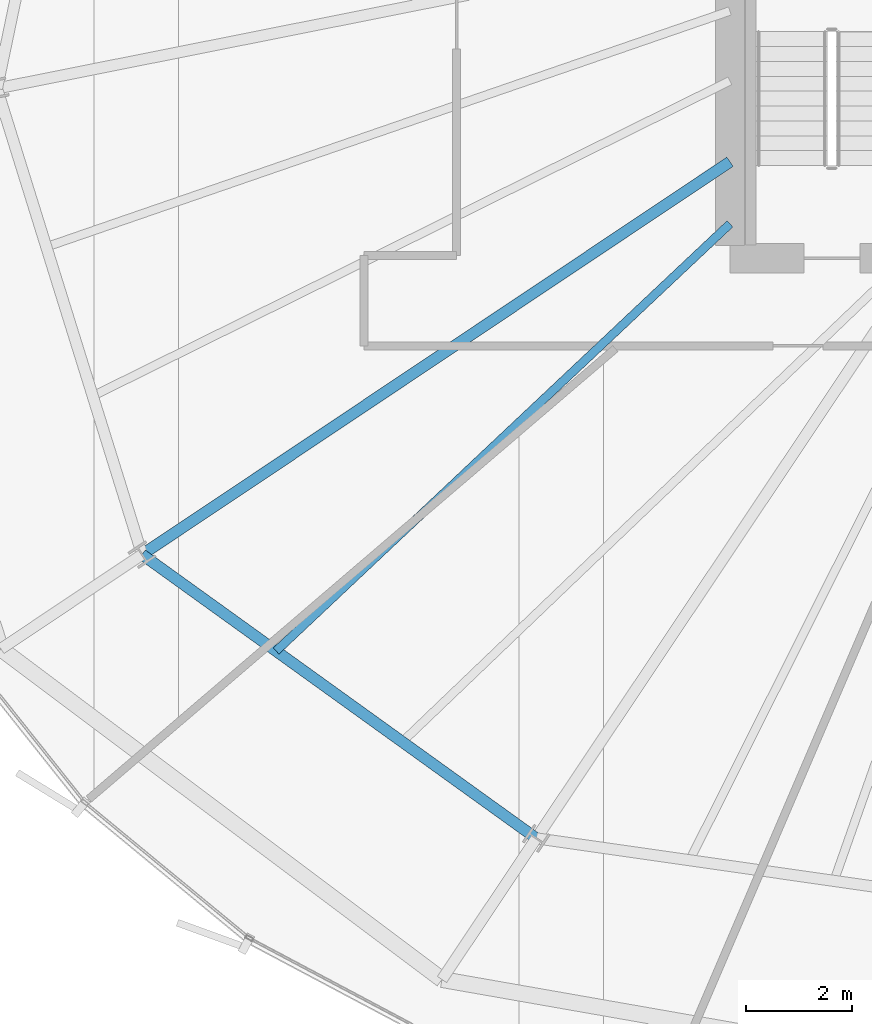
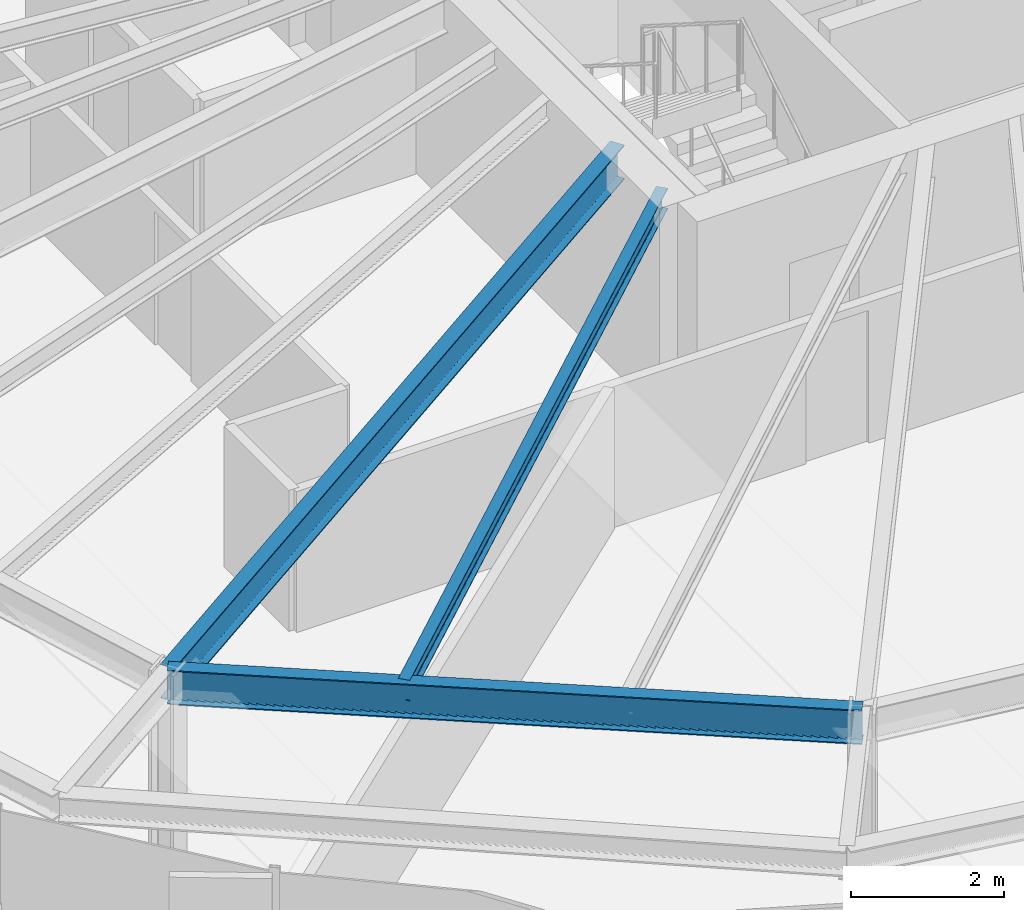
# One storey, part 5 of 36: 3 beams.
"""IFC4 building model written with IfcOpenShell, lengths in metres."""

import ifcopenshell
import ifcopenshell.guid

model = None  # the IFC model being written
_history = None  # IfcOwnerHistory: only IFC2X3 demands one
_inside = {}  # id of a spatial element -> (the spatial element, [elements in it])
_under = {}  # id of a project, library or spatial element -> (it, [spatial elements below it])
_declared = {}  # id of a project -> (the project, [libraries it declares])
_typed = {}  # id of a type object -> (the type object, [elements of that type])
_made_of = {}  # id of a material, layer set ... -> (it, [elements and type objects made of it])


def new_model(schema):
    """Start an empty IFC model of exactly this schema.

    Asked for "IFC4X3", IfcOpenShell would pick the latest addendum, in which some entities
    have other attributes; the version numbers below select the first issue.
    IFC2X3 requires an IfcOwnerHistory on every rooted entity: one is made here for all.
    """
    global model, _history
    if schema == "IFC4X3":
        model = ifcopenshell.file(schema_version=(4, 3, 0, 0))
    else:
        model = ifcopenshell.file(schema=schema)
    _inside.clear()
    _under.clear()
    _declared.clear()
    _typed.clear()
    _made_of.clear()
    _history = None
    if model.schema == "IFC2X3":
        org = make("IfcOrganization", Name="unknown")
        user = make(
            "IfcPersonAndOrganization",
            ThePerson=make("IfcPerson", FamilyName="unknown"),
            TheOrganization=org,
        )
        app = make(
            "IfcApplication",
            ApplicationDeveloper=org,
            Version="unknown",
            ApplicationFullName="unknown",
            ApplicationIdentifier="unknown",
        )
        _history = make(
            "IfcOwnerHistory",
            OwningUser=user,
            OwningApplication=app,
            ChangeAction="ADDED",
            CreationDate=0,
        )
    return model


def make(cls, **values):
    """One entity of the class cls with the attributes given. An attribute that is None is left unset."""
    return model.create_entity(
        cls, **{name: value for name, value in values.items() if value is not None}
    )


def rooted(cls, **values):
    """An entity with a GlobalId (a new one), such as an element, a storey or a relation."""
    return make(cls, GlobalId=ifcopenshell.guid.new(), OwnerHistory=_history, **values)


def si_unit(unit_type, name, prefix=None):
    """IfcSIUnit, for example si_unit("LENGTHUNIT", "METRE", prefix="MILLI")."""
    return make("IfcSIUnit", UnitType=unit_type, Prefix=prefix, Name=name)


def assignment(units):
    """IfcUnitAssignment: the units of a project."""
    return None if units is None else make("IfcUnitAssignment", Units=units)


def point(xyz):
    """IfcCartesianPoint."""
    return None if xyz is None else make("IfcCartesianPoint", Coordinates=xyz)


def direction(xyz):
    """IfcDirection."""
    return None if xyz is None else make("IfcDirection", DirectionRatios=xyz)


def frame(location, z_axis=None, x_axis=None):
    """IfcAxis2Placement3D, a coordinate frame: its origin and axes. An axis left out is left unset."""
    return make(
        "IfcAxis2Placement3D",
        Location=point(location),
        Axis=direction(z_axis),
        RefDirection=direction(x_axis),
    )


def frame_2d(location, x_axis=None):
    """IfcAxis2Placement2D, a coordinate frame in the plane: its origin and x axis."""
    return make(
        "IfcAxis2Placement2D", Location=point(location), RefDirection=direction(x_axis)
    )


def origin():
    """The frame at (0, 0, 0) with its axes left unset."""
    return frame((0.0, 0.0, 0.0))


def origin_2d():
    """The frame at (0, 0) in the plane with its x axis left unset."""
    return frame_2d((0.0, 0.0))


def place(relative_to, where):
    """IfcLocalPlacement: puts the frame where relative to a parent placement (None: the world)."""
    return make(
        "IfcLocalPlacement", PlacementRelTo=relative_to, RelativePlacement=where
    )


def context(
    kind, dimensions, precision=None, world=None, true_north=None, identifier=None
):
    """IfcGeometricRepresentationContext, for example the 3D "Model" context."""
    return make(
        "IfcGeometricRepresentationContext",
        ContextIdentifier=identifier,
        ContextType=kind,
        CoordinateSpaceDimension=dimensions,
        Precision=precision,
        WorldCoordinateSystem=world,
        TrueNorth=true_north,
    )


def subcontext(parent, identifier, kind, view, scale=None):
    """IfcGeometricRepresentationSubContext, for example "Body" below "Model"."""
    return make(
        "IfcGeometricRepresentationSubContext",
        ContextIdentifier=identifier,
        ContextType=kind,
        ParentContext=parent,
        TargetScale=scale,
        TargetView=view,
    )


def project(units=None, contexts=None):
    """IfcProject with its units and contexts."""
    return rooted(
        "IfcProject",
        Name="project",
        RepresentationContexts=contexts,
        UnitsInContext=assignment(units),
    )


def spatial(cls, under=None, at=None, **own):
    """A site, building, storey or space (cls), placed at a placement, below another one or the project."""
    s = rooted(cls, ObjectPlacement=at, **own)
    if under is not None:
        _under.setdefault(under.id(), (under, []))[1].append(s)
    return s


def profile(cls, at=None, kind="AREA", **sizes):
    """A parametric profile (cls). Its sizes go by their IFC names, for example OverallWidth=200.0."""
    return make(cls, ProfileType=kind, Position=at, **sizes)


def i_section(**sizes):
    """IfcIShapeProfileDef."""
    return profile("IfcIShapeProfileDef", **sizes)


def extrude(swept, where, along, depth):
    """IfcExtrudedAreaSolid: the profile swept, set in the frame where, extruded along a direction by depth."""
    return make(
        "IfcExtrudedAreaSolid",
        SweptArea=swept,
        Position=where,
        ExtrudedDirection=direction(along),
        Depth=depth,
    )


def shape(context_of_items, identifier, shape_type, items):
    """IfcShapeRepresentation: the items that make up one representation, for example the "Body"."""
    return make(
        "IfcShapeRepresentation",
        ContextOfItems=context_of_items,
        RepresentationIdentifier=identifier,
        RepresentationType=shape_type,
        Items=items,
    )


def source(mapping_origin, context_of_items, identifier, shape_type, items):
    """IfcRepresentationMap: a shape defined once, which mapped items show again and again."""
    return make(
        "IfcRepresentationMap",
        MappingOrigin=mapping_origin,
        MappedRepresentation=shape(context_of_items, identifier, shape_type, items),
    )


def transform(
    local_origin,
    x_axis=None,
    y_axis=None,
    z_axis=None,
    scale=None,
    scale2=None,
    scale3=None,
    uniform=True,
):
    """IfcCartesianTransformationOperator3D, or its non-uniform kind. x_axis, y_axis, z_axis: its Axis1, 2, 3."""
    if uniform:
        return make(
            "IfcCartesianTransformationOperator3D",
            Axis1=direction(x_axis),
            Axis2=direction(y_axis),
            LocalOrigin=point(local_origin),
            Scale=scale,
            Axis3=direction(z_axis),
        )
    return make(
        "IfcCartesianTransformationOperator3DnonUniform",
        Axis1=direction(x_axis),
        Axis2=direction(y_axis),
        LocalOrigin=point(local_origin),
        Scale=scale,
        Axis3=direction(z_axis),
        Scale2=scale2,
        Scale3=scale3,
    )


def mapped(mapping_source, mapping_target):
    """IfcMappedItem: shows the shape of a source again, moved by a transform."""
    return make(
        "IfcMappedItem", MappingSource=mapping_source, MappingTarget=mapping_target
    )


def material(Name=None, Category=None):
    """IfcMaterial."""
    return make("IfcMaterial", Name=Name, Category=Category)


def material_profile(
    of_material, cross_section, Name=None, Category=None, Priority=None
):
    """IfcMaterialProfile: a cross section and its material."""
    return make(
        "IfcMaterialProfile",
        Name=Name,
        Material=of_material,
        Profile=cross_section,
        Priority=Priority,
        Category=Category,
    )


def profile_set(profiles, Name=None, composite=None):
    """IfcMaterialProfileSet."""
    return make(
        "IfcMaterialProfileSet",
        Name=Name,
        MaterialProfiles=profiles,
        CompositeProfile=composite,
    )


def made_of(thing, what):
    """Note that an element or type object is made of a material, layer set ...; save() writes the relation."""
    if what is not None:
        _made_of.setdefault(what.id(), (what, []))[1].append(thing)
    return thing


def type_object(cls, material=None, **own):
    """A type object (cls), such as IfcWallType, which elements share."""
    return made_of(rooted(cls, **own), material)


def element(
    cls,
    number,
    at=None,
    inside=None,
    cuts=None,
    type_object=None,
    material=None,
    context=None,
    identifier="Body",
    shape_type=None,
    held_by="IfcProductDefinitionShape",
    body=None,
    shapes=None,
    **own,
):
    """One element of the class cls, such as IfcWall. Its Tag is "e" and its number.

    at: its placement. inside: the storey or other place that contains it. cuts: it is an
    opening in that element (IfcRelVoidsElement). A single representation is given by context,
    identifier, shape_type and body (its items); several are given by shapes. held_by: the class
    of the entity that holds the representations. save() writes the other relations.
    """
    e = rooted(cls, Tag="e%d" % number, ObjectPlacement=at, **own)
    if body is not None:
        shapes = [shape(context, identifier, shape_type, body)]
    if shapes is not None:
        e.Representation = make(held_by, Representations=shapes)
    if inside is not None:
        _inside.setdefault(inside.id(), (inside, []))[1].append(e)
    if cuts is not None:
        rooted(
            "IfcRelVoidsElement", RelatingBuildingElement=cuts, RelatedOpeningElement=e
        )
    if type_object is not None:
        _typed.setdefault(type_object.id(), (type_object, []))[1].append(e)
    return made_of(e, material)


def aggregate(whole, parts):
    """IfcRelAggregates: a whole, such as a stair, and the parts it consists of."""
    return rooted("IfcRelAggregates", RelatingObject=whole, RelatedObjects=parts)


def save(model, path):
    """Write the relations noted so far, then the file.

    IfcRelAggregates (storeys below a building ...), IfcRelContainedInSpatialStructure (elements
    in a storey), IfcRelDefinesByType, IfcRelAssociatesMaterial and IfcRelDeclares: one each for
    every whole, place, type object, material and project.
    """
    for whole, parts in _under.values():
        aggregate(whole, parts)
    for where, things in _inside.values():
        rooted(
            "IfcRelContainedInSpatialStructure",
            RelatedElements=things,
            RelatingStructure=where,
        )
    for kind, things in _typed.values():
        rooted("IfcRelDefinesByType", RelatedObjects=things, RelatingType=kind)
    for what, things in _made_of.values():
        rooted("IfcRelAssociatesMaterial", RelatedObjects=things, RelatingMaterial=what)
    for by, libraries in _declared.values():
        rooted("IfcRelDeclares", RelatingContext=by, RelatedDefinitions=libraries)
    model.write(path)


model = new_model("IFC4")

# Units and contexts
model_context = context("Model", 3, precision=1e-05, world=origin(), true_north=direction((0.0, 1.0)))
body_context = subcontext(model_context, "Body", "Model", "MODEL_VIEW")
ifc_project = project(units=[si_unit("LENGTHUNIT", "METRE"), si_unit("AREAUNIT", "SQUARE_METRE"), si_unit("VOLUMEUNIT", "CUBIC_METRE"), si_unit("PLANEANGLEUNIT", "RADIAN"), si_unit("MASSUNIT", "GRAM", prefix="KILO"), si_unit("THERMODYNAMICTEMPERATUREUNIT", "KELVIN")], contexts=[model_context])

# Site, building, storey
site_placement = place(None, origin())
site = spatial("IfcSite", under=ifc_project, at=site_placement, CompositionType="ELEMENT")
building_placement = place(site_placement, origin())
building = spatial("IfcBuilding", under=site, at=building_placement, Name="Kethvar Cultural Tower", CompositionType="ELEMENT")
storey_placement = place(building_placement, frame((0.0, 0.0, 164.300048828125)))
storey = spatial("IfcBuildingStorey", under=building, at=storey_placement, Name="L42", CompositionType="ELEMENT", Elevation=164.300048828125)

# Beams
ifc_material = material(Name="Steel S355J2", Category="steel")
ifc_material_profile_1 = material_profile(ifc_material, i_section(OverallWidth=0.2099609375, OverallDepth=0.550048828125, WebThickness=0.010986328125, FlangeThickness=0.01708984375, FilletRadius=0.02392578125, at=origin_2d()), Name="Steel S355J2 — IPE550")
ifc_profile_set_1 = profile_set([ifc_material_profile_1], Name="Steel S355J2 — IPE550")
beam_type_1 = type_object("IfcBeamType", Name="BM-IPE550", PredefinedType="BEAM", material=ifc_profile_set_1)
shared_shape_1 = source(origin(), body_context, "Body", "SweptSolid", [
    extrude(i_section(OverallWidth=0.2099609375, OverallDepth=0.550048828125, WebThickness=0.010986328125, FlangeThickness=0.01708984375, FilletRadius=0.02392578125, at=origin_2d()), origin(), (0.0, 0.0, 1.0), 13.324951171875),
])
beam_1_placement = place(storey_placement, frame((38.0, 21.919921875, 3.02294921875), z_axis=(-0.831474815475, -0.555562445843, 0.0), x_axis=(0.555562445843, -0.831474815475, 0.0)))
element("IfcBeam", 1, at=beam_1_placement, inside=storey, type_object=beam_type_1, Name="L42 Primary Radial Beam RB-10", PredefinedType="BEAM", context=body_context, shape_type="MappedRepresentation", body=[
    mapped(shared_shape_1, transform((0.0, 0.0, 0.0), scale=1.0)),
])
shared_shape_2 = source(origin(), body_context, "Body", "SweptSolid", [
    extrude(i_section(OverallWidth=0.2099609375, OverallDepth=0.550048828125, WebThickness=0.010986328125, FlangeThickness=0.01708984375, FilletRadius=0.02392578125, at=origin_2d()), origin(), (0.0, 0.0, 1.0), 9.155029296875),
])
beam_2_placement = place(storey_placement, frame((26.920654296875, 14.51708984375, 3.02294921875), z_axis=(0.811590987974, -0.584226042076, 0.0), x_axis=(0.584226042076, 0.811590987974, 0.0)))
element("IfcBeam", 2, at=beam_2_placement, inside=storey, type_object=beam_type_1, Name="L42 Column Ring Tie Beam CR-10", PredefinedType="BEAM", context=body_context, shape_type="MappedRepresentation", body=[
    mapped(shared_shape_2, transform((0.0, 0.0, 0.0), scale=1.0)),
])
ifc_material_profile_2 = material_profile(ifc_material, i_section(OverallWidth=0.159912109375, OverallDepth=0.330078125, WebThickness=0.007568359375, FlangeThickness=0.011474609375, FilletRadius=0.01806640625, at=origin_2d()), Name="Steel S355J2 — IPE330")
ifc_profile_set_2 = profile_set([ifc_material_profile_2], Name="Steel S355J2 — IPE330")
beam_type_2 = type_object("IfcBeamType", Name="BM-J330", PredefinedType="JOIST", material=ifc_profile_set_2)
shared_shape_3 = source(origin(), body_context, "Body", "SweptSolid", [
    extrude(i_section(OverallWidth=0.159912109375, OverallDepth=0.330078125, WebThickness=0.007568359375, FlangeThickness=0.011474609375, FilletRadius=0.01806640625, at=origin_2d()), origin(), (0.0, 0.0, 1.0), 11.74658203125),
])
beam_3_placement = place(storey_placement, frame((38.0, 20.75, 3.133056640625), z_axis=(-0.728129818661, -0.685439251266, 0.0), x_axis=(0.685439251266, -0.728129818661, 0.0)))
element("IfcBeam", 3, at=beam_3_placement, inside=storey, type_object=beam_type_2, Name="L42 Composite Floor Joist J-10A", PredefinedType="JOIST", context=body_context, shape_type="MappedRepresentation", body=[
    mapped(shared_shape_3, transform((0.0, 0.0, 0.0), scale=1.0)),
])

save(model, "model.ifc")
